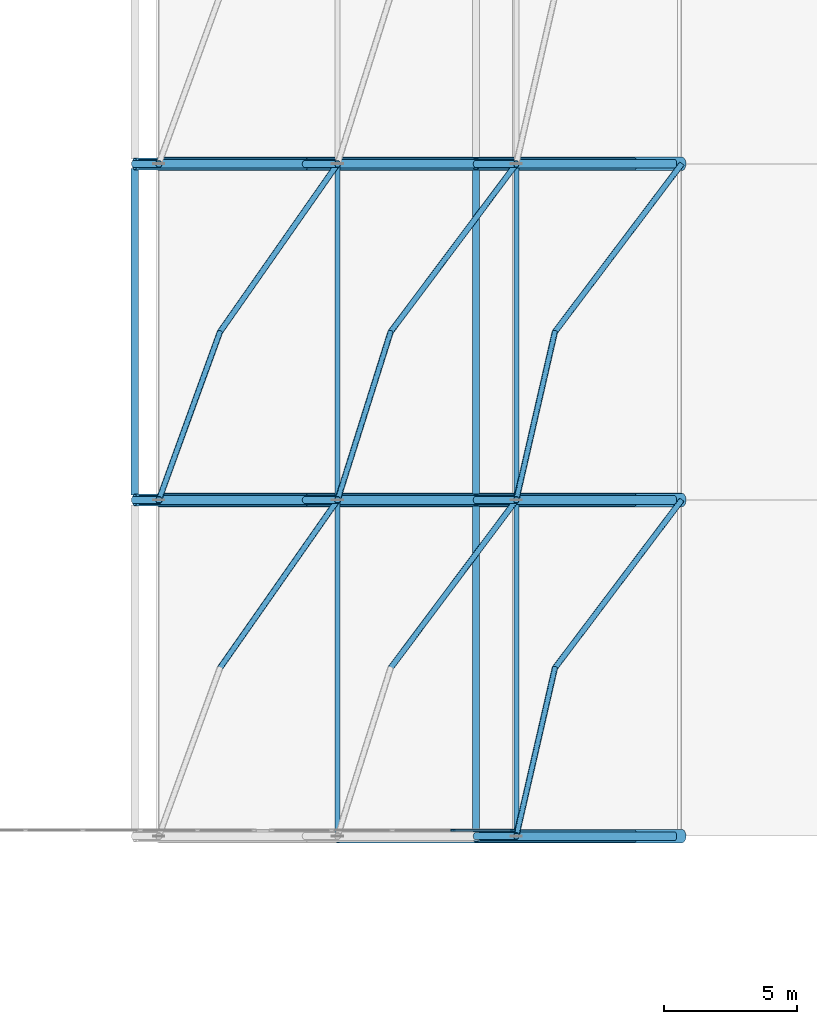
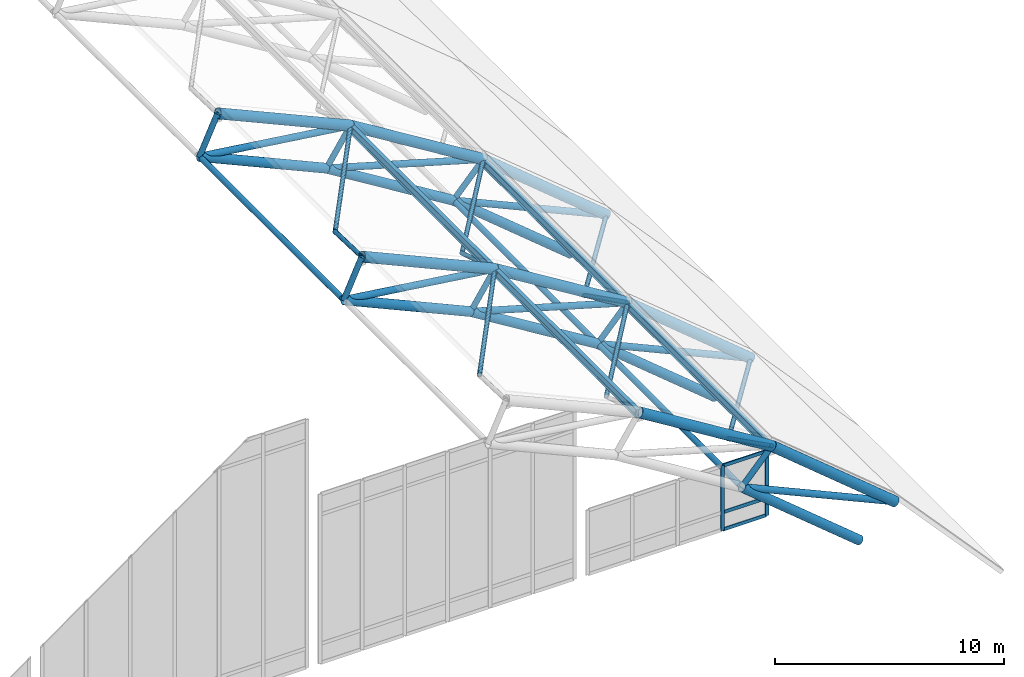
# One storey, part 11 of 42: 51 members, 1 element without a shape of its own.
"""IFC4 building model written with IfcOpenShell, lengths in metres."""

from ifc_helpers import new_model, si_unit, derived_unit, direction, frame, origin, origin_2d, place, context, subcontext, project, spatial, rectangle, hollow_circle, i_section, extrude, material, layer, layer_set, material_profile, profile_set, type_object, element, aggregate, save


model = new_model("IFC4")

# Units and contexts
model_context = context("Model", 3, precision=1e-05, world=origin(), true_north=direction((0.0, 1.0)))
body_context = subcontext(model_context, "Body", "Model", "MODEL_VIEW")
ifc_project = project(units=[si_unit("LENGTHUNIT", "METRE"), si_unit("AREAUNIT", "SQUARE_METRE"), si_unit("VOLUMEUNIT", "CUBIC_METRE"), si_unit("PLANEANGLEUNIT", "RADIAN"), si_unit("MASSUNIT", "GRAM", prefix="KILO"), derived_unit("THERMALTRANSMITTANCEUNIT", [(si_unit("MASSUNIT", "GRAM", prefix="KILO"), 1), (si_unit("TIMEUNIT", "SECOND"), -3), (si_unit("THERMODYNAMICTEMPERATUREUNIT", "KELVIN"), -1)])], contexts=[model_context])

# Site, building, storey
site_placement = place(None, origin())
site = spatial("IfcSite", under=ifc_project, at=site_placement, CompositionType="ELEMENT")
building_placement = place(site_placement, origin())
building = spatial("IfcBuilding", under=site, at=building_placement, Name="Valcora Ridge Arena", CompositionType="ELEMENT")
storey_placement = place(building_placement, frame((0.0, 0.0, 26.39990234375)))
storey = spatial("IfcBuildingStorey", under=building, at=storey_placement, Name="L05", CompositionType="ELEMENT", Elevation=26.39990234375)

# Curtain wall, members
ifc_material_1 = material(Name="Anodised dark bronze architectural aluminium 6063-T6", Category="aluminium")
ifc_layer = layer(ifc_material_1, 0.179931640625, Name="Anodised dark bronze architectural aluminium 6063-T6")
ifc_layer_set = layer_set([ifc_layer], Name="Anodised dark bronze architectural aluminium 6063-T6")
curtain_wall_type = type_object("IfcCurtainWallType", Name="TY-CURTAINWALL-CW-V1-TYMPS-091X35", PredefinedType="NOTDEFINED", material=ifc_layer_set)
curtain_wall_placement = place(storey_placement, origin())
curtain_wall = element("IfcCurtainWall", 1, at=curtain_wall_placement, inside=storey, type_object=curtain_wall_type, Name="CW-V1-TYMPS-091X35 CW-0178", PredefinedType="NOTDEFINED")
ifc_material_profile_1 = material_profile(ifc_material_1, rectangle(XDim=0.06005859375, YDim=0.179931640625, at=origin_2d()), Name="ALU MULLION 60x180")
ifc_profile_set_1 = profile_set([ifc_material_profile_1], Name="Anodised dark bronze architectural aluminium 6063-T6")
member_type_1 = type_object("IfcMemberType", Name="TY-MEM-CWM-60x180", PredefinedType="MULLION", material=ifc_profile_set_1)
member_1_placement = place(storey_placement, frame((86.925048828125, 20.219970703125, 0.0), z_axis=(0.0, 0.0, 1.0), x_axis=(0.0, 1.0, 0.0)))
member_1 = element("IfcMember", 2, at=member_1_placement, type_object=member_type_1, Name="CW-0178/CWM-60x180/M03", PredefinedType="MULLION", context=body_context, shape_type="SweptSolid", body=[
    extrude(rectangle(XDim=0.06005859375, YDim=0.179931640625, at=origin_2d()), origin(), (0.0, 0.0, 1.0), 3.461669921875),
])
member_2_placement = place(storey_placement, frame((89.169921875, 20.219970703125, 0.0), z_axis=(0.0, 0.0, 1.0), x_axis=(0.0, 1.0, 0.0)))
member_2 = element("IfcMember", 3, at=member_2_placement, type_object=member_type_1, Name="CW-0178/CWM-60x180/M04", PredefinedType="MULLION", context=body_context, shape_type="SweptSolid", body=[
    extrude(rectangle(XDim=0.06005859375, YDim=0.179931640625, at=origin_2d()), origin(), (0.0, 0.0, 1.0), 3.461669921875),
])
ifc_material_profile_2 = material_profile(ifc_material_1, rectangle(XDim=0.06005859375, YDim=0.179931640625, at=origin_2d()), Name="ALU TRANSOM 60x180")
ifc_profile_set_2 = profile_set([ifc_material_profile_2], Name="Anodised dark bronze architectural aluminium 6063-T6")
member_type_2 = type_object("IfcMemberType", Name="TY-MEM-CWT-60x180", PredefinedType="USERDEFINED", material=ifc_profile_set_2)
member_3_placement = place(storey_placement, frame((86.955078125, 20.219970703125, 0.030029296875), z_axis=(1.0, 0.0, 0.0), x_axis=(0.0, 1.0, 0.0)))
member_3 = element("IfcMember", 4, at=member_3_placement, type_object=member_type_2, Name="CW-0178/CWT-60x180/T03-00", ObjectType="TRANSOM", PredefinedType="USERDEFINED", context=body_context, shape_type="SweptSolid", body=[
    extrude(rectangle(XDim=0.06005859375, YDim=0.179931640625, at=origin_2d()), origin(), (0.0, 0.0, 1.0), 2.184814453125),
])
member_4_placement = place(storey_placement, frame((86.955078125, 20.219970703125, 0.9501953125), z_axis=(1.0, 0.0, 0.0), x_axis=(0.0, 1.0, 0.0)))
member_4 = element("IfcMember", 5, at=member_4_placement, type_object=member_type_2, Name="CW-0178/CWT-60x180/T03-01", ObjectType="TRANSOM", PredefinedType="USERDEFINED", context=body_context, shape_type="SweptSolid", body=[
    extrude(rectangle(XDim=0.06005859375, YDim=0.179931640625, at=origin_2d()), origin(), (0.0, 0.0, 1.0), 2.184814453125),
])
member_5_placement = place(storey_placement, frame((86.955078125, 20.219970703125, 3.431640625), z_axis=(1.0, 0.0, 0.0), x_axis=(0.0, 1.0, 0.0)))
member_5 = element("IfcMember", 6, at=member_5_placement, type_object=member_type_2, Name="CW-0178/CWT-60x180/T03-02", ObjectType="TRANSOM", PredefinedType="USERDEFINED", context=body_context, shape_type="SweptSolid", body=[
    extrude(rectangle(XDim=0.06005859375, YDim=0.179931640625, at=origin_2d()), origin(), (0.0, 0.0, 1.0), 2.184814453125),
])
aggregate(curtain_wall, [member_1, member_2, member_3, member_4, member_5])

# Members
ifc_material_2 = material(Name="Steel ASTM A572 Grade 50", Category="steel")
ifc_material_profile_3 = material_profile(ifc_material_2, i_section(OverallWidth=0.18994140625, OverallDepth=0.45703125, WebThickness=0.009033203125, FlangeThickness=0.014404296875, FilletRadius=0.014892578125, at=origin_2d()), Name="W18X50")
ifc_profile_set_3 = profile_set([ifc_material_profile_3], Name="Steel ASTM A572 Grade 50")
member_type_3 = type_object("IfcMemberType", Name="TY-MEMBER-PUR-W18X50", PredefinedType="PURLIN", material=ifc_profile_set_3)
for number, where, z_axis, x_axis, name in (
    (7, (82.60009765625, 20.050048828125, 7.81884765625), (0.0, 1.0, 0.0), (-1.0, 0.0, 0.0), "PUR-W18X50 SF-PR-PUR-W18X50-0010"),
    (8, (89.300048828125, 20.050048828125, 3.654296875), (0.0, 1.0, 0.0), (-1.0, 0.0, 0.0), "PUR-W18X50 SF-PR-PUR-W18X50-0011"),
    (9, (82.60009765625, 32.64990234375, 7.81884765625), (0.0, 1.0, 0.0), (-1.0, 0.0, 0.0), "PUR-W18X50 SF-PR-PUR-W18X50-0022"),
    (10, (89.300048828125, 32.64990234375, 3.654296875), (0.0, 1.0, 0.0), (-1.0, 0.0, 0.0), "PUR-W18X50 SF-PR-PUR-W18X50-0023"),
):
    element("IfcMember", number, at=place(storey_placement, frame(where, z_axis=z_axis, x_axis=x_axis)), inside=storey, type_object=member_type_3, Name=name, PredefinedType="PURLIN", context=body_context, shape_type="SweptSolid", body=[
        extrude(i_section(OverallWidth=0.18994140625, OverallDepth=0.45703125, WebThickness=0.009033203125, FlangeThickness=0.014404296875, FilletRadius=0.014892578125, at=origin_2d()), origin(), (0.0, 0.0, 1.0), 12.5),
    ])
ifc_material_3 = material(Name="Steel ASTM A500 Grade C", Category="steel")
ifc_material_profile_4 = material_profile(ifc_material_3, hollow_circle(Radius=0.228515625, WallThickness=0.01611328125, at=origin_2d()), Name="CHS457X16")
ifc_profile_set_4 = profile_set([ifc_material_profile_4], Name="Steel ASTM A500 Grade C")
member_type_4 = type_object("IfcMemberType", Name="TY-MEMBER-SFBC-457", PredefinedType="CHORD", material=ifc_profile_set_4)
member_6_placement = place(storey_placement, frame((87.78564453125, 20.0, 2.126708984375), z_axis=(0.770105368474, 0.0, -0.637916704161), x_axis=(0.0, 1.0, 0.0)))
element("IfcMember", 11, at=member_6_placement, inside=storey, type_object=member_type_4, Name="SFBC-457 Space Frame Bottom Chord", PredefinedType="CHORD", context=body_context, shape_type="SweptSolid", body=[
    extrude(hollow_circle(Radius=0.228515625, WallThickness=0.01611328125, at=origin_2d()), origin(), (0.0, 0.0, 1.0), 7.686767578125),
])
member_7_placement = place(storey_placement, frame((74.99169921875, 32.60009765625, 8.93994140625), z_axis=(0.912752630083, 0.0, -0.408512712502), x_axis=(0.0, 1.0, 0.0)))
element("IfcMember", 12, at=member_7_placement, inside=storey, type_object=member_type_4, Name="SFBC-457 Space Frame Bottom Chord", PredefinedType="CHORD", context=body_context, shape_type="SweptSolid", body=[
    extrude(hollow_circle(Radius=0.228515625, WallThickness=0.01611328125, at=origin_2d()), origin(), (0.0, 0.0, 1.0), 7.008544921875),
])
member_8_placement = place(storey_placement, frame((81.388671875, 32.60009765625, 6.076904296875), z_axis=(0.850850087791, 0.0, -0.525408534481), x_axis=(0.0, 1.0, 0.0)))
element("IfcMember", 13, at=member_8_placement, inside=storey, type_object=member_type_4, Name="SFBC-457 Space Frame Bottom Chord", PredefinedType="CHORD", context=body_context, shape_type="SweptSolid", body=[
    extrude(hollow_circle(Radius=0.228515625, WallThickness=0.01611328125, at=origin_2d()), origin(), (0.0, 0.0, 1.0), 7.518310546875),
])
member_9_placement = place(storey_placement, frame((87.78564453125, 32.60009765625, 2.126708984375), z_axis=(0.770105368474, 0.0, -0.637916704161), x_axis=(0.0, 1.0, 0.0)))
element("IfcMember", 14, at=member_9_placement, inside=storey, type_object=member_type_4, Name="SFBC-457 Space Frame Bottom Chord", PredefinedType="CHORD", context=body_context, shape_type="SweptSolid", body=[
    extrude(hollow_circle(Radius=0.228515625, WallThickness=0.01611328125, at=origin_2d()), origin(), (0.0, 0.0, 1.0), 7.686767578125),
])
member_10_placement = place(storey_placement, frame((74.99169921875, 45.199951171875, 8.93994140625), z_axis=(0.912752630083, 0.0, -0.408512712502), x_axis=(0.0, 1.0, 0.0)))
element("IfcMember", 15, at=member_10_placement, inside=storey, type_object=member_type_4, Name="SFBC-457 Space Frame Bottom Chord", PredefinedType="CHORD", context=body_context, shape_type="SweptSolid", body=[
    extrude(hollow_circle(Radius=0.228515625, WallThickness=0.01611328125, at=origin_2d()), origin(), (0.0, 0.0, 1.0), 7.008544921875),
])
member_11_placement = place(storey_placement, frame((81.388671875, 45.199951171875, 6.076904296875), z_axis=(0.850850087791, 0.0, -0.525408534481), x_axis=(0.0, 1.0, 0.0)))
element("IfcMember", 16, at=member_11_placement, inside=storey, type_object=member_type_4, Name="SFBC-457 Space Frame Bottom Chord", PredefinedType="CHORD", context=body_context, shape_type="SweptSolid", body=[
    extrude(hollow_circle(Radius=0.228515625, WallThickness=0.01611328125, at=origin_2d()), origin(), (0.0, 0.0, 1.0), 7.518310546875),
])
member_12_placement = place(storey_placement, frame((87.78564453125, 45.199951171875, 2.126708984375), z_axis=(0.770105368474, 0.0, -0.637916704161), x_axis=(0.0, 1.0, 0.0)))
element("IfcMember", 17, at=member_12_placement, inside=storey, type_object=member_type_4, Name="SFBC-457 Space Frame Bottom Chord", PredefinedType="CHORD", context=body_context, shape_type="SweptSolid", body=[
    extrude(hollow_circle(Radius=0.228515625, WallThickness=0.01611328125, at=origin_2d()), origin(), (0.0, 0.0, 1.0), 7.686767578125),
])
ifc_material_profile_5 = material_profile(ifc_material_3, hollow_circle(Radius=0.136474609375, WallThickness=0.012451171875, at=origin_2d()), Name="CHS273X12")
ifc_profile_set_5 = profile_set([ifc_material_profile_5], Name="Steel ASTM A500 Grade C")
member_type_5 = type_object("IfcMemberType", Name="TY-MEMBER-SFBT-273", PredefinedType="STRUT", material=ifc_profile_set_5)
for number, where, z_axis, x_axis, name in (
    (18, (87.78564453125, 20.179931640625, 2.126708984375), (0.0, 1.0, 0.0), (-1.0, 0.0, 0.0), "SFBT-273 Space Frame Bottom Strut"),
    (19, (74.99169921875, 32.780029296875, 8.93994140625), (0.0, 1.0, 0.0), (-1.0, 0.0, 0.0), "SFBT-273 Space Frame Bottom Strut"),
    (20, (87.78564453125, 32.780029296875, 2.126708984375), (0.0, 1.0, 0.0), (-1.0, 0.0, 0.0), "SFBT-273 Space Frame Bottom Strut"),
):
    element("IfcMember", number, at=place(storey_placement, frame(where, z_axis=z_axis, x_axis=x_axis)), inside=storey, type_object=member_type_5, Name=name, PredefinedType="STRUT", context=body_context, shape_type="SweptSolid", body=[
        extrude(hollow_circle(Radius=0.136474609375, WallThickness=0.012451171875, at=origin_2d()), origin(), (0.0, 0.0, 1.0), 12.239990234375),
    ])
ifc_material_profile_6 = material_profile(ifc_material_3, hollow_circle(Radius=0.136474609375, WallThickness=0.012451171875, at=origin_2d()), Name="CHS273X12")
ifc_profile_set_6 = profile_set([ifc_material_profile_6], Name="Steel ASTM A500 Grade C")
member_type_6 = type_object("IfcMemberType", Name="TY-MEMBER-SFKP-273", PredefinedType="POST", material=ifc_profile_set_6)
member_13_placement = place(storey_placement, frame((87.78564453125, 20.0, 2.126708984375), z_axis=(0.673229018622, 0.0, 0.739434032544), x_axis=(0.0, 1.0, 0.0)))
element("IfcMember", 21, at=member_13_placement, inside=storey, type_object=member_type_6, Name="SFKP-273 Space Frame King Post", PredefinedType="POST", context=body_context, shape_type="SweptSolid", body=[
    extrude(hollow_circle(Radius=0.136474609375, WallThickness=0.012451171875, at=origin_2d()), origin(), (0.0, 0.0, 1.0), 2.24951171875),
])
member_14_placement = place(storey_placement, frame((74.99169921875, 32.60009765625, 8.93994140625), z_axis=(0.415865435042, 0.0, 0.909426159695), x_axis=(0.0, 1.0, 0.0)))
element("IfcMember", 22, at=member_14_placement, inside=storey, type_object=member_type_6, Name="SFKP-273 Space Frame King Post", PredefinedType="POST", context=body_context, shape_type="SweptSolid", body=[
    extrude(hollow_circle(Radius=0.136474609375, WallThickness=0.012451171875, at=origin_2d()), origin(), (0.0, 0.0, 1.0), 2.183837890625),
])
member_15_placement = place(storey_placement, frame((81.388671875, 32.60009765625, 6.076904296875), z_axis=(0.547701322944, 0.0, 0.836673927432), x_axis=(0.0, 1.0, 0.0)))
element("IfcMember", 23, at=member_15_placement, inside=storey, type_object=member_type_6, Name="SFKP-273 Space Frame King Post", PredefinedType="POST", context=body_context, shape_type="SweptSolid", body=[
    extrude(hollow_circle(Radius=0.136474609375, WallThickness=0.012451171875, at=origin_2d()), origin(), (0.0, 0.0, 1.0), 2.2119140625),
])
member_16_placement = place(storey_placement, frame((87.78564453125, 32.60009765625, 2.126708984375), z_axis=(0.673229018622, 0.0, 0.739434032544), x_axis=(0.0, 1.0, 0.0)))
element("IfcMember", 24, at=member_16_placement, inside=storey, type_object=member_type_6, Name="SFKP-273 Space Frame King Post", PredefinedType="POST", context=body_context, shape_type="SweptSolid", body=[
    extrude(hollow_circle(Radius=0.136474609375, WallThickness=0.012451171875, at=origin_2d()), origin(), (0.0, 0.0, 1.0), 2.24951171875),
])
member_17_placement = place(storey_placement, frame((74.99169921875, 45.199951171875, 8.93994140625), z_axis=(0.415865435042, 0.0, 0.909426159695), x_axis=(0.0, 1.0, 0.0)))
element("IfcMember", 25, at=member_17_placement, inside=storey, type_object=member_type_6, Name="SFKP-273 Space Frame King Post", PredefinedType="POST", context=body_context, shape_type="SweptSolid", body=[
    extrude(hollow_circle(Radius=0.136474609375, WallThickness=0.012451171875, at=origin_2d()), origin(), (0.0, 0.0, 1.0), 2.183837890625),
])
member_18_placement = place(storey_placement, frame((81.388671875, 45.199951171875, 6.076904296875), z_axis=(0.547701322944, 0.0, 0.836673927432), x_axis=(0.0, 1.0, 0.0)))
element("IfcMember", 26, at=member_18_placement, inside=storey, type_object=member_type_6, Name="SFKP-273 Space Frame King Post", PredefinedType="POST", context=body_context, shape_type="SweptSolid", body=[
    extrude(hollow_circle(Radius=0.136474609375, WallThickness=0.012451171875, at=origin_2d()), origin(), (0.0, 0.0, 1.0), 2.2119140625),
])
member_19_placement = place(storey_placement, frame((87.78564453125, 45.199951171875, 2.126708984375), z_axis=(0.673229018622, 0.0, 0.739434032544), x_axis=(0.0, 1.0, 0.0)))
element("IfcMember", 27, at=member_19_placement, inside=storey, type_object=member_type_6, Name="SFKP-273 Space Frame King Post", PredefinedType="POST", context=body_context, shape_type="SweptSolid", body=[
    extrude(hollow_circle(Radius=0.136474609375, WallThickness=0.012451171875, at=origin_2d()), origin(), (0.0, 0.0, 1.0), 2.24951171875),
])
ifc_material_profile_7 = material_profile(ifc_material_3, hollow_circle(Radius=0.109619140625, WallThickness=0.010009765625, at=origin_2d()), Name="CHS219X10")
ifc_profile_set_7 = profile_set([ifc_material_profile_7], Name="Steel ASTM A500 Grade C")
member_type_7 = type_object("IfcMemberType", Name="TY-MEMBER-SFST-219", PredefinedType="STRUT", material=ifc_profile_set_7)
member_20_placement = place(storey_placement, frame((78.190185546875, 26.300048828125, 7.631103515625), z_axis=(0.573026254478, 0.818631594796, 0.038512643134), x_axis=(-0.819239377872, 0.573451690855, 0.0)))
element("IfcMember", 28, at=member_20_placement, inside=storey, type_object=member_type_7, Name="SFST-219 Space Frame Tie Strut", PredefinedType="STRUT", context=body_context, shape_type="SweptSolid", body=[
    extrude(hollow_circle(Radius=0.109619140625, WallThickness=0.010009765625, at=origin_2d()), origin(), (0.0, 0.0, 1.0), 7.69580078125),
])
member_21_placement = place(storey_placement, frame((84.587158203125, 26.300048828125, 4.253173828125), z_axis=(0.597976417998, 0.799356685994, -0.058763016211), x_axis=(-0.800740396706, 0.599011533347, 0.0)))
element("IfcMember", 29, at=member_21_placement, inside=storey, type_object=member_type_7, Name="SFST-219 Space Frame Tie Strut", PredefinedType="STRUT", context=body_context, shape_type="SweptSolid", body=[
    extrude(hollow_circle(Radius=0.109619140625, WallThickness=0.010009765625, at=origin_2d()), origin(), (0.0, 0.0, 1.0), 7.88134765625),
])
member_22_placement = place(storey_placement, frame((90.74560546875, 26.300048828125, -0.150390625), z_axis=(-0.190954714131, -0.832221989215, 0.520521716951), x_axis=(0.974671803023, -0.223640059899, 0.0)))
element("IfcMember", 30, at=member_22_placement, inside=storey, type_object=member_type_7, Name="SFST-219 Space Frame Tie Strut", PredefinedType="STRUT", context=body_context, shape_type="SweptSolid", body=[
    extrude(hollow_circle(Radius=0.109619140625, WallThickness=0.010009765625, at=origin_2d()), origin(), (0.0, 0.0, 1.0), 7.570068359375),
])
member_23_placement = place(storey_placement, frame((90.74560546875, 26.300048828125, -0.150390625), z_axis=(0.595586548239, 0.789211814589, -0.149737688209), x_axis=(-0.798211038929, 0.602377902426, 0.0)))
element("IfcMember", 31, at=member_23_placement, inside=storey, type_object=member_type_7, Name="SFST-219 Space Frame Tie Strut", PredefinedType="STRUT", context=body_context, shape_type="SweptSolid", body=[
    extrude(hollow_circle(Radius=0.109619140625, WallThickness=0.010009765625, at=origin_2d()), origin(), (0.0, 0.0, 1.0), 7.982666015625),
])
member_24_placement = place(storey_placement, frame((78.190185546875, 38.89990234375, 7.631103515625), z_axis=(-0.306628954337, -0.843433912986, 0.441132541066), x_axis=(0.939820005671, -0.341669953232, 0.0)))
element("IfcMember", 32, at=member_24_placement, inside=storey, type_object=member_type_7, Name="SFST-219 Space Frame Tie Strut", PredefinedType="STRUT", context=body_context, shape_type="SweptSolid", body=[
    extrude(hollow_circle(Radius=0.109619140625, WallThickness=0.010009765625, at=origin_2d()), origin(), (0.0, 0.0, 1.0), 7.46923828125),
])
member_25_placement = place(storey_placement, frame((78.190185546875, 38.89990234375, 7.631103515625), z_axis=(0.573026254478, 0.818631594796, 0.038512643134), x_axis=(-0.819239377872, 0.573451690855, 0.0)))
element("IfcMember", 33, at=member_25_placement, inside=storey, type_object=member_type_7, Name="SFST-219 Space Frame Tie Strut", PredefinedType="STRUT", context=body_context, shape_type="SweptSolid", body=[
    extrude(hollow_circle(Radius=0.109619140625, WallThickness=0.010009765625, at=origin_2d()), origin(), (0.0, 0.0, 1.0), 7.69580078125),
])
member_26_placement = place(storey_placement, frame((84.587158203125, 38.89990234375, 4.253173828125), z_axis=(-0.262877910855, -0.83343182353, 0.486093200439), x_axis=(0.953684828736, -0.300807658544, 0.0)))
element("IfcMember", 34, at=member_26_placement, inside=storey, type_object=member_type_7, Name="SFST-219 Space Frame Tie Strut", PredefinedType="STRUT", context=body_context, shape_type="SweptSolid", body=[
    extrude(hollow_circle(Radius=0.109619140625, WallThickness=0.010009765625, at=origin_2d()), origin(), (0.0, 0.0, 1.0), 7.558837890625),
])
member_27_placement = place(storey_placement, frame((84.587158203125, 38.89990234375, 4.253173828125), z_axis=(0.597976417998, 0.799356685994, -0.058763016211), x_axis=(-0.800740396706, 0.599011533347, 0.0)))
element("IfcMember", 35, at=member_27_placement, inside=storey, type_object=member_type_7, Name="SFST-219 Space Frame Tie Strut", PredefinedType="STRUT", context=body_context, shape_type="SweptSolid", body=[
    extrude(hollow_circle(Radius=0.109619140625, WallThickness=0.010009765625, at=origin_2d()), origin(), (0.0, 0.0, 1.0), 7.88134765625),
])
member_28_placement = place(storey_placement, frame((90.74560546875, 38.89990234375, -0.150390625), z_axis=(-0.190959839368, -0.832212074826, 0.520535687789), x_axis=(0.974669913824, -0.223648293278, 0.0)))
element("IfcMember", 36, at=member_28_placement, inside=storey, type_object=member_type_7, Name="SFST-219 Space Frame Tie Strut", PredefinedType="STRUT", context=body_context, shape_type="SweptSolid", body=[
    extrude(hollow_circle(Radius=0.109619140625, WallThickness=0.010009765625, at=origin_2d()), origin(), (0.0, 0.0, 1.0), 7.570068359375),
])
member_29_placement = place(storey_placement, frame((90.74560546875, 38.89990234375, -0.150390625), z_axis=(0.595586548239, 0.789211814589, -0.149737688209), x_axis=(-0.798211038929, 0.602377902426, 0.0)))
element("IfcMember", 37, at=member_29_placement, inside=storey, type_object=member_type_7, Name="SFST-219 Space Frame Tie Strut", PredefinedType="STRUT", context=body_context, shape_type="SweptSolid", body=[
    extrude(hollow_circle(Radius=0.109619140625, WallThickness=0.010009765625, at=origin_2d()), origin(), (0.0, 0.0, 1.0), 7.982666015625),
])
ifc_material_profile_8 = material_profile(ifc_material_3, hollow_circle(Radius=0.25390625, WallThickness=0.01611328125, at=origin_2d()), Name="CHS508X16")
ifc_profile_set_8 = profile_set([ifc_material_profile_8], Name="Steel ASTM A500 Grade C")
member_type_8 = type_object("IfcMemberType", Name="TY-MEMBER-SFTC-508", PredefinedType="CHORD", material=ifc_profile_set_8)
member_30_placement = place(storey_placement, frame((82.60009765625, 20.0, 7.927490234375), z_axis=(0.850840802089, 0.0, -0.525423571512), x_axis=(0.0, 1.0, 0.0)))
element("IfcMember", 38, at=member_30_placement, inside=storey, type_object=member_type_8, Name="SFTC-508 Space Frame Top Chord", PredefinedType="CHORD", context=body_context, shape_type="SweptSolid", body=[
    extrude(hollow_circle(Radius=0.25390625, WallThickness=0.01611328125, at=origin_2d()), origin(), (0.0, 0.0, 1.0), 7.87451171875),
])
member_31_placement = place(storey_placement, frame((89.300048828125, 20.0, 3.7900390625), z_axis=(0.770104559296, 0.0, -0.637917681014), x_axis=(0.0, 1.0, 0.0)))
element("IfcMember", 39, at=member_31_placement, inside=storey, type_object=member_type_8, Name="SFTC-508 Space Frame Top Chord", PredefinedType="CHORD", context=body_context, shape_type="SweptSolid", body=[
    extrude(hollow_circle(Radius=0.25390625, WallThickness=0.01611328125, at=origin_2d()), origin(), (0.0, 0.0, 1.0), 8.05078125),
])
member_32_placement = place(storey_placement, frame((75.89990234375, 32.60009765625, 10.926025390625), z_axis=(0.912763432327, 0.0, -0.408488575858), x_axis=(0.0, 1.0, 0.0)))
element("IfcMember", 40, at=member_32_placement, inside=storey, type_object=member_type_8, Name="SFTC-508 Space Frame Top Chord", PredefinedType="CHORD", context=body_context, shape_type="SweptSolid", body=[
    extrude(hollow_circle(Radius=0.25390625, WallThickness=0.01611328125, at=origin_2d()), origin(), (0.0, 0.0, 1.0), 7.340576171875),
])
member_33_placement = place(storey_placement, frame((82.60009765625, 32.60009765625, 7.927490234375), z_axis=(0.850840802089, 0.0, -0.525423571512), x_axis=(0.0, 1.0, 0.0)))
element("IfcMember", 41, at=member_33_placement, inside=storey, type_object=member_type_8, Name="SFTC-508 Space Frame Top Chord", PredefinedType="CHORD", context=body_context, shape_type="SweptSolid", body=[
    extrude(hollow_circle(Radius=0.25390625, WallThickness=0.01611328125, at=origin_2d()), origin(), (0.0, 0.0, 1.0), 7.87451171875),
])
member_34_placement = place(storey_placement, frame((89.300048828125, 32.60009765625, 3.7900390625), z_axis=(0.770104559296, 0.0, -0.637917681014), x_axis=(0.0, 1.0, 0.0)))
element("IfcMember", 42, at=member_34_placement, inside=storey, type_object=member_type_8, Name="SFTC-508 Space Frame Top Chord", PredefinedType="CHORD", context=body_context, shape_type="SweptSolid", body=[
    extrude(hollow_circle(Radius=0.25390625, WallThickness=0.01611328125, at=origin_2d()), origin(), (0.0, 0.0, 1.0), 8.05078125),
])
member_35_placement = place(storey_placement, frame((75.89990234375, 45.199951171875, 10.926025390625), z_axis=(0.912763432327, 0.0, -0.408488575858), x_axis=(0.0, 1.0, 0.0)))
element("IfcMember", 43, at=member_35_placement, inside=storey, type_object=member_type_8, Name="SFTC-508 Space Frame Top Chord", PredefinedType="CHORD", context=body_context, shape_type="SweptSolid", body=[
    extrude(hollow_circle(Radius=0.25390625, WallThickness=0.01611328125, at=origin_2d()), origin(), (0.0, 0.0, 1.0), 7.340576171875),
])
member_36_placement = place(storey_placement, frame((82.60009765625, 45.199951171875, 7.927490234375), z_axis=(0.850840802089, 0.0, -0.525423571512), x_axis=(0.0, 1.0, 0.0)))
element("IfcMember", 44, at=member_36_placement, inside=storey, type_object=member_type_8, Name="SFTC-508 Space Frame Top Chord", PredefinedType="CHORD", context=body_context, shape_type="SweptSolid", body=[
    extrude(hollow_circle(Radius=0.25390625, WallThickness=0.01611328125, at=origin_2d()), origin(), (0.0, 0.0, 1.0), 7.87451171875),
])
member_37_placement = place(storey_placement, frame((89.300048828125, 45.199951171875, 3.7900390625), z_axis=(0.770104559296, 0.0, -0.637917681014), x_axis=(0.0, 1.0, 0.0)))
element("IfcMember", 45, at=member_37_placement, inside=storey, type_object=member_type_8, Name="SFTC-508 Space Frame Top Chord", PredefinedType="CHORD", context=body_context, shape_type="SweptSolid", body=[
    extrude(hollow_circle(Radius=0.25390625, WallThickness=0.01611328125, at=origin_2d()), origin(), (0.0, 0.0, 1.0), 8.05078125),
])
ifc_material_profile_9 = material_profile(ifc_material_3, hollow_circle(Radius=0.161865234375, WallThickness=0.012451171875, at=origin_2d()), Name="CHS323X12")
ifc_profile_set_9 = profile_set([ifc_material_profile_9], Name="Steel ASTM A500 Grade C")
member_type_9 = type_object("IfcMemberType", Name="TY-MEMBER-SFWB-323", PredefinedType="BRACE", material=ifc_profile_set_9)
member_38_placement = place(storey_placement, frame((87.931396484375, 20.0, 2.060791015625), z_axis=(0.911895871197, 0.0, -0.410421636971), x_axis=(0.0, 1.0, 0.0)))
element("IfcMember", 46, at=member_38_placement, inside=storey, type_object=member_type_9, Name="SFWB-323 Space Frame Diagonal Brace", PredefinedType="BRACE", context=body_context, shape_type="SweptSolid", body=[
    extrude(hollow_circle(Radius=0.161865234375, WallThickness=0.012451171875, at=origin_2d()), origin(), (0.0, 0.0, 1.0), 8.019775390625),
])
member_39_placement = place(storey_placement, frame((75.150146484375, 32.60009765625, 8.918701171875), z_axis=(0.99126352177, 0.0, -0.131896286561), x_axis=(0.0, 1.0, 0.0)))
element("IfcMember", 47, at=member_39_placement, inside=storey, type_object=member_type_9, Name="SFWB-323 Space Frame Diagonal Brace", PredefinedType="BRACE", context=body_context, shape_type="SweptSolid", body=[
    extrude(hollow_circle(Radius=0.161865234375, WallThickness=0.012451171875, at=origin_2d()), origin(), (0.0, 0.0, 1.0), 7.235595703125),
])
member_40_placement = place(storey_placement, frame((81.542236328125, 32.60009765625, 6.03271484375), z_axis=(0.960667219721, 0.0, -0.277702165915), x_axis=(0.0, 1.0, 0.0)))
element("IfcMember", 48, at=member_40_placement, inside=storey, type_object=member_type_9, Name="SFWB-323 Space Frame Diagonal Brace", PredefinedType="BRACE", context=body_context, shape_type="SweptSolid", body=[
    extrude(hollow_circle(Radius=0.161865234375, WallThickness=0.012451171875, at=origin_2d()), origin(), (0.0, 0.0, 1.0), 7.79541015625),
])
member_41_placement = place(storey_placement, frame((87.931396484375, 32.60009765625, 2.060791015625), z_axis=(0.911895871197, 0.0, -0.410421636971), x_axis=(0.0, 1.0, 0.0)))
element("IfcMember", 49, at=member_41_placement, inside=storey, type_object=member_type_9, Name="SFWB-323 Space Frame Diagonal Brace", PredefinedType="BRACE", context=body_context, shape_type="SweptSolid", body=[
    extrude(hollow_circle(Radius=0.161865234375, WallThickness=0.012451171875, at=origin_2d()), origin(), (0.0, 0.0, 1.0), 8.019775390625),
])
member_42_placement = place(storey_placement, frame((75.150146484375, 45.199951171875, 8.918701171875), z_axis=(0.99126352177, 0.0, -0.131896286561), x_axis=(0.0, 1.0, 0.0)))
element("IfcMember", 50, at=member_42_placement, inside=storey, type_object=member_type_9, Name="SFWB-323 Space Frame Diagonal Brace", PredefinedType="BRACE", context=body_context, shape_type="SweptSolid", body=[
    extrude(hollow_circle(Radius=0.161865234375, WallThickness=0.012451171875, at=origin_2d()), origin(), (0.0, 0.0, 1.0), 7.235595703125),
])
member_43_placement = place(storey_placement, frame((81.542236328125, 45.199951171875, 6.03271484375), z_axis=(0.960667219721, 0.0, -0.277702165915), x_axis=(0.0, 1.0, 0.0)))
element("IfcMember", 51, at=member_43_placement, inside=storey, type_object=member_type_9, Name="SFWB-323 Space Frame Diagonal Brace", PredefinedType="BRACE", context=body_context, shape_type="SweptSolid", body=[
    extrude(hollow_circle(Radius=0.161865234375, WallThickness=0.012451171875, at=origin_2d()), origin(), (0.0, 0.0, 1.0), 7.79541015625),
])
member_44_placement = place(storey_placement, frame((87.931396484375, 45.199951171875, 2.060791015625), z_axis=(0.911895871197, 0.0, -0.410421636971), x_axis=(0.0, 1.0, 0.0)))
element("IfcMember", 52, at=member_44_placement, inside=storey, type_object=member_type_9, Name="SFWB-323 Space Frame Diagonal Brace", PredefinedType="BRACE", context=body_context, shape_type="SweptSolid", body=[
    extrude(hollow_circle(Radius=0.161865234375, WallThickness=0.012451171875, at=origin_2d()), origin(), (0.0, 0.0, 1.0), 8.019775390625),
])

save(model, "model.ifc")
